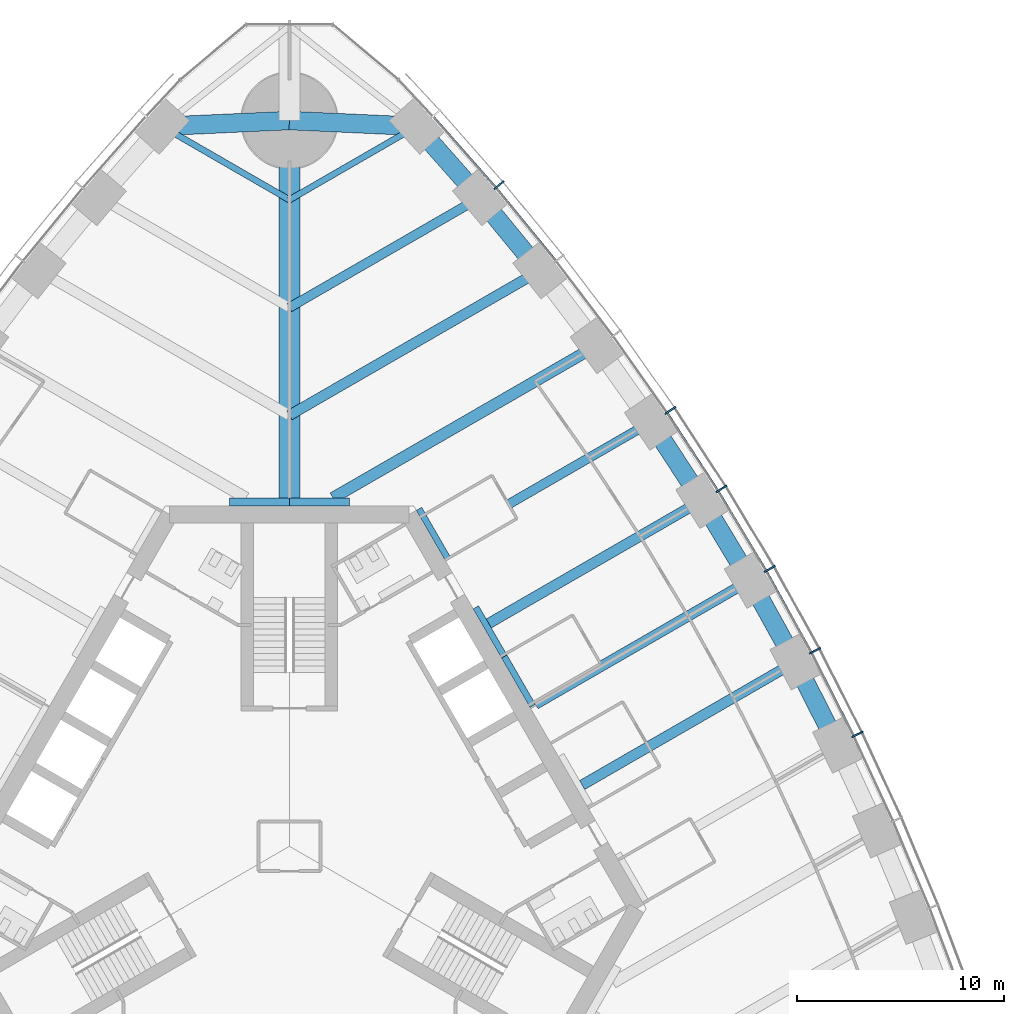
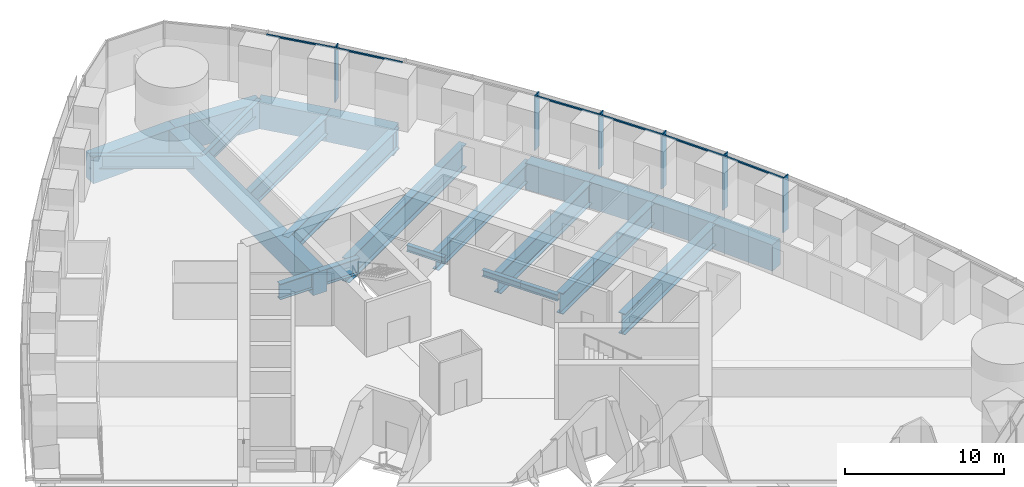
# One storey, part 5 of 19: 23 beams, 12 members, 1 element without a shape of its own.
"""IFC4 building model written with IfcOpenShell, lengths in metres."""

import ifcopenshell
import ifcopenshell.guid

model = None  # the IFC model being written
_history = None  # IfcOwnerHistory: only IFC2X3 demands one
_inside = {}  # id of a spatial element -> (the spatial element, [elements in it])
_under = {}  # id of a project, library or spatial element -> (it, [spatial elements below it])
_declared = {}  # id of a project -> (the project, [libraries it declares])
_typed = {}  # id of a type object -> (the type object, [elements of that type])
_made_of = {}  # id of a material, layer set ... -> (it, [elements and type objects made of it])


def new_model(schema):
    """Start an empty IFC model of exactly this schema.

    Asked for "IFC4X3", IfcOpenShell would pick the latest addendum, in which some entities
    have other attributes; the version numbers below select the first issue.
    IFC2X3 requires an IfcOwnerHistory on every rooted entity: one is made here for all.
    """
    global model, _history
    if schema == "IFC4X3":
        model = ifcopenshell.file(schema_version=(4, 3, 0, 0))
    else:
        model = ifcopenshell.file(schema=schema)
    _inside.clear()
    _under.clear()
    _declared.clear()
    _typed.clear()
    _made_of.clear()
    _history = None
    if model.schema == "IFC2X3":
        org = make("IfcOrganization", Name="unknown")
        user = make(
            "IfcPersonAndOrganization",
            ThePerson=make("IfcPerson", FamilyName="unknown"),
            TheOrganization=org,
        )
        app = make(
            "IfcApplication",
            ApplicationDeveloper=org,
            Version="unknown",
            ApplicationFullName="unknown",
            ApplicationIdentifier="unknown",
        )
        _history = make(
            "IfcOwnerHistory",
            OwningUser=user,
            OwningApplication=app,
            ChangeAction="ADDED",
            CreationDate=0,
        )
    return model


def make(cls, **values):
    """One entity of the class cls with the attributes given. An attribute that is None is left unset."""
    return model.create_entity(
        cls, **{name: value for name, value in values.items() if value is not None}
    )


def rooted(cls, **values):
    """An entity with a GlobalId (a new one), such as an element, a storey or a relation."""
    return make(cls, GlobalId=ifcopenshell.guid.new(), OwnerHistory=_history, **values)


def si_unit(unit_type, name, prefix=None):
    """IfcSIUnit, for example si_unit("LENGTHUNIT", "METRE", prefix="MILLI")."""
    return make("IfcSIUnit", UnitType=unit_type, Prefix=prefix, Name=name)


def assignment(units):
    """IfcUnitAssignment: the units of a project."""
    return None if units is None else make("IfcUnitAssignment", Units=units)


def point(xyz):
    """IfcCartesianPoint."""
    return None if xyz is None else make("IfcCartesianPoint", Coordinates=xyz)


def direction(xyz):
    """IfcDirection."""
    return None if xyz is None else make("IfcDirection", DirectionRatios=xyz)


def frame(location, z_axis=None, x_axis=None):
    """IfcAxis2Placement3D, a coordinate frame: its origin and axes. An axis left out is left unset."""
    return make(
        "IfcAxis2Placement3D",
        Location=point(location),
        Axis=direction(z_axis),
        RefDirection=direction(x_axis),
    )


def frame_2d(location, x_axis=None):
    """IfcAxis2Placement2D, a coordinate frame in the plane: its origin and x axis."""
    return make(
        "IfcAxis2Placement2D", Location=point(location), RefDirection=direction(x_axis)
    )


def origin():
    """The frame at (0, 0, 0) with its axes left unset."""
    return frame((0.0, 0.0, 0.0))


def origin_2d():
    """The frame at (0, 0) in the plane with its x axis left unset."""
    return frame_2d((0.0, 0.0))


def place(relative_to, where):
    """IfcLocalPlacement: puts the frame where relative to a parent placement (None: the world)."""
    return make(
        "IfcLocalPlacement", PlacementRelTo=relative_to, RelativePlacement=where
    )


def context(
    kind, dimensions, precision=None, world=None, true_north=None, identifier=None
):
    """IfcGeometricRepresentationContext, for example the 3D "Model" context."""
    return make(
        "IfcGeometricRepresentationContext",
        ContextIdentifier=identifier,
        ContextType=kind,
        CoordinateSpaceDimension=dimensions,
        Precision=precision,
        WorldCoordinateSystem=world,
        TrueNorth=true_north,
    )


def subcontext(parent, identifier, kind, view, scale=None):
    """IfcGeometricRepresentationSubContext, for example "Body" below "Model"."""
    return make(
        "IfcGeometricRepresentationSubContext",
        ContextIdentifier=identifier,
        ContextType=kind,
        ParentContext=parent,
        TargetScale=scale,
        TargetView=view,
    )


def project(units=None, contexts=None):
    """IfcProject with its units and contexts."""
    return rooted(
        "IfcProject",
        Name="project",
        RepresentationContexts=contexts,
        UnitsInContext=assignment(units),
    )


def spatial(cls, under=None, at=None, **own):
    """A site, building, storey or space (cls), placed at a placement, below another one or the project."""
    s = rooted(cls, ObjectPlacement=at, **own)
    if under is not None:
        _under.setdefault(under.id(), (under, []))[1].append(s)
    return s


def profile(cls, at=None, kind="AREA", **sizes):
    """A parametric profile (cls). Its sizes go by their IFC names, for example OverallWidth=200.0."""
    return make(cls, ProfileType=kind, Position=at, **sizes)


def rectangle(**sizes):
    """IfcRectangleProfileDef."""
    return profile("IfcRectangleProfileDef", **sizes)


def i_section(**sizes):
    """IfcIShapeProfileDef."""
    return profile("IfcIShapeProfileDef", **sizes)


def extrude(swept, where, along, depth):
    """IfcExtrudedAreaSolid: the profile swept, set in the frame where, extruded along a direction by depth."""
    return make(
        "IfcExtrudedAreaSolid",
        SweptArea=swept,
        Position=where,
        ExtrudedDirection=direction(along),
        Depth=depth,
    )


def shape(context_of_items, identifier, shape_type, items):
    """IfcShapeRepresentation: the items that make up one representation, for example the "Body"."""
    return make(
        "IfcShapeRepresentation",
        ContextOfItems=context_of_items,
        RepresentationIdentifier=identifier,
        RepresentationType=shape_type,
        Items=items,
    )


def material(Name=None, Category=None):
    """IfcMaterial."""
    return make("IfcMaterial", Name=Name, Category=Category)


def material_profile(
    of_material, cross_section, Name=None, Category=None, Priority=None
):
    """IfcMaterialProfile: a cross section and its material."""
    return make(
        "IfcMaterialProfile",
        Name=Name,
        Material=of_material,
        Profile=cross_section,
        Priority=Priority,
        Category=Category,
    )


def profile_set(profiles, Name=None, composite=None):
    """IfcMaterialProfileSet."""
    return make(
        "IfcMaterialProfileSet",
        Name=Name,
        MaterialProfiles=profiles,
        CompositeProfile=composite,
    )


def made_of(thing, what):
    """Note that an element or type object is made of a material, layer set ...; save() writes the relation."""
    if what is not None:
        _made_of.setdefault(what.id(), (what, []))[1].append(thing)
    return thing


def type_object(cls, material=None, **own):
    """A type object (cls), such as IfcWallType, which elements share."""
    return made_of(rooted(cls, **own), material)


def element(
    cls,
    number,
    at=None,
    inside=None,
    cuts=None,
    type_object=None,
    material=None,
    context=None,
    identifier="Body",
    shape_type=None,
    held_by="IfcProductDefinitionShape",
    body=None,
    shapes=None,
    **own,
):
    """One element of the class cls, such as IfcWall. Its Tag is "e" and its number.

    at: its placement. inside: the storey or other place that contains it. cuts: it is an
    opening in that element (IfcRelVoidsElement). A single representation is given by context,
    identifier, shape_type and body (its items); several are given by shapes. held_by: the class
    of the entity that holds the representations. save() writes the other relations.
    """
    e = rooted(cls, Tag="e%d" % number, ObjectPlacement=at, **own)
    if body is not None:
        shapes = [shape(context, identifier, shape_type, body)]
    if shapes is not None:
        e.Representation = make(held_by, Representations=shapes)
    if inside is not None:
        _inside.setdefault(inside.id(), (inside, []))[1].append(e)
    if cuts is not None:
        rooted(
            "IfcRelVoidsElement", RelatingBuildingElement=cuts, RelatedOpeningElement=e
        )
    if type_object is not None:
        _typed.setdefault(type_object.id(), (type_object, []))[1].append(e)
    return made_of(e, material)


def aggregate(whole, parts):
    """IfcRelAggregates: a whole, such as a stair, and the parts it consists of."""
    return rooted("IfcRelAggregates", RelatingObject=whole, RelatedObjects=parts)


def save(model, path):
    """Write the relations noted so far, then the file.

    IfcRelAggregates (storeys below a building ...), IfcRelContainedInSpatialStructure (elements
    in a storey), IfcRelDefinesByType, IfcRelAssociatesMaterial and IfcRelDeclares: one each for
    every whole, place, type object, material and project.
    """
    for whole, parts in _under.values():
        aggregate(whole, parts)
    for where, things in _inside.values():
        rooted(
            "IfcRelContainedInSpatialStructure",
            RelatedElements=things,
            RelatingStructure=where,
        )
    for kind, things in _typed.values():
        rooted("IfcRelDefinesByType", RelatedObjects=things, RelatingType=kind)
    for what, things in _made_of.values():
        rooted("IfcRelAssociatesMaterial", RelatedObjects=things, RelatingMaterial=what)
    for by, libraries in _declared.values():
        rooted("IfcRelDeclares", RelatingContext=by, RelatedDefinitions=libraries)
    model.write(path)


model = new_model("IFC4")

# Units and contexts
model_context = context("Model", 3, precision=1e-05, world=origin(), true_north=direction((0.0, 1.0)))
body_context = subcontext(model_context, "Body", "Model", "MODEL_VIEW")
ifc_project = project(units=[si_unit("LENGTHUNIT", "METRE"), si_unit("AREAUNIT", "SQUARE_METRE"), si_unit("VOLUMEUNIT", "CUBIC_METRE"), si_unit("PLANEANGLEUNIT", "RADIAN"), si_unit("MASSUNIT", "GRAM", prefix="KILO")], contexts=[model_context])

# Site, building, storey
site_placement = place(None, origin())
site = spatial("IfcSite", under=ifc_project, at=site_placement, CompositionType="ELEMENT")
building_placement = place(site_placement, origin())
building = spatial("IfcBuilding", under=site, at=building_placement, Name="Trefoil Bronze Tower", CompositionType="ELEMENT")
storey_placement = place(building_placement, frame((0.0, 0.0, 107.300048828125)))
storey = spatial("IfcBuildingStorey", under=building, at=storey_placement, Name="L24", CompositionType="ELEMENT", Elevation=107.300048828125)

# Curtain wall, members
ifc_material_1 = material(Name="Tinted solar-control glass", Category="glass")
curtain_wall_type = type_object("IfcCurtainWallType", Name="Bronze office curtain wall", PredefinedType="USERDEFINED", material=ifc_material_1)
curtain_wall_placement = place(storey_placement, origin())
curtain_wall = element("IfcCurtainWall", 1, at=curtain_wall_placement, inside=storey, type_object=curtain_wall_type, Name="CW-A L24 F2", ObjectType="CURTAIN WALL", PredefinedType="USERDEFINED")
ifc_material_2 = material(Name="Bronze-finish aluminium", Category="aluminium")
ifc_material_profile_1 = material_profile(ifc_material_2, rectangle(XDim=0.60009765625, YDim=0.080078125, at=origin_2d()), Name="CW-A mullion")
ifc_profile_set_1 = profile_set([ifc_material_profile_1], Name="Bronze-finish aluminium")
member_type_1 = type_object("IfcMemberType", Name="Bronze office curtain wall mullion", PredefinedType="MULLION", material=ifc_profile_set_1)
member_1_placement = place(storey_placement, frame((27.394775390625, 5.399169921875, 0.0), z_axis=(0.0, 0.0, 1.0), x_axis=(-0.899819602033, -0.436262173236, 0.0)))
member_1 = element("IfcMember", 2, at=member_1_placement, type_object=member_type_1, Name="CW-A L24 F2 mullion 6", PredefinedType="MULLION", context=body_context, shape_type="SweptSolid", body=[
    extrude(rectangle(XDim=0.60009765625, YDim=0.080078125, at=origin_2d()), origin(), (0.0, 0.0, 1.0), 4.179931640625),
])
member_2_placement = place(storey_placement, frame((25.350830078125, 9.427734375, 0.0), z_axis=(0.0, 0.0, 1.0), x_axis=(-0.883486441467, -0.468456729853, 0.0)))
member_2 = element("IfcMember", 3, at=member_2_placement, type_object=member_type_1, Name="CW-A L24 F2 mullion 7", PredefinedType="MULLION", context=body_context, shape_type="SweptSolid", body=[
    extrude(rectangle(XDim=0.60009765625, YDim=0.080078125, at=origin_2d()), origin(), (0.0, 0.0, 1.0), 4.179931640625),
])
member_3_placement = place(storey_placement, frame((23.166015625, 13.374755859375, 0.0), z_axis=(0.0, 0.0, 1.0), x_axis=(-0.866025403784, -0.5, 0.0)))
member_3 = element("IfcMember", 4, at=member_3_placement, type_object=member_type_1, Name="CW-A L24 F2 mullion 8", PredefinedType="MULLION", context=body_context, shape_type="SweptSolid", body=[
    extrude(rectangle(XDim=0.60009765625, YDim=0.080078125, at=origin_2d()), origin(), (0.0, 0.0, 1.0), 4.179931640625),
])
member_4_placement = place(storey_placement, frame((20.840087890625, 17.24072265625, 0.0), z_axis=(0.0, 0.0, 1.0), x_axis=(-0.84743864936, -0.530893337283, 0.0)))
member_4 = element("IfcMember", 5, at=member_4_placement, type_object=member_type_1, Name="CW-A L24 F2 mullion 9", PredefinedType="MULLION", context=body_context, shape_type="SweptSolid", body=[
    extrude(rectangle(XDim=0.60009765625, YDim=0.080078125, at=origin_2d()), origin(), (0.0, 0.0, 1.0), 4.179931640625),
])
member_5_placement = place(storey_placement, frame((18.373046875, 21.025146484375, 0.0), z_axis=(0.0, 0.0, 1.0), x_axis=(-0.827723925749, -0.561135547566, 0.0)))
member_5 = element("IfcMember", 6, at=member_5_placement, type_object=member_type_1, Name="CW-A L24 F2 mullion 10", PredefinedType="MULLION", context=body_context, shape_type="SweptSolid", body=[
    extrude(rectangle(XDim=0.60009765625, YDim=0.080078125, at=origin_2d()), origin(), (0.0, 0.0, 1.0), 4.179931640625),
])
member_6_placement = place(storey_placement, frame((10.11474609375, 31.8828125, 0.0), z_axis=(0.0, 0.0, 1.0), x_axis=(-0.761721651066, -0.647904411389, 0.0)))
member_6 = element("IfcMember", 7, at=member_6_placement, type_object=member_type_1, Name="CW-A L24 F2 mullion 13", PredefinedType="MULLION", context=body_context, shape_type="SweptSolid", body=[
    extrude(rectangle(XDim=0.60009765625, YDim=0.080078125, at=origin_2d()), origin(), (0.0, 0.0, 1.0), 4.179931640625),
])
ifc_material_3 = material(Name="Bronze-finish aluminium", Category="aluminium")
ifc_material_profile_2 = material_profile(ifc_material_3, rectangle(XDim=0.1201171875, YDim=0.10009765625, at=origin_2d()), Name="CW-A transom")
ifc_profile_set_2 = profile_set([ifc_material_profile_2], Name="Bronze-finish aluminium")
member_type_2 = type_object("IfcMemberType", Name="Bronze office curtain wall transom", PredefinedType="USERDEFINED", material=ifc_profile_set_2)
member_7_placement = place(storey_placement, frame((27.196044921875, 5.34912109375, 4.1298828125), z_axis=(-0.452478489814, 0.891775317138, 0.0), x_axis=(-0.891775317138, -0.452478489814, 0.0)))
member_7 = element("IfcMember", 8, at=member_7_placement, type_object=member_type_2, Name="CW-A L24 F2 transom 6", ObjectType="TRANSOM", PredefinedType="USERDEFINED", context=body_context, shape_type="SweptSolid", body=[
    extrude(rectangle(XDim=0.1201171875, YDim=0.10009765625, at=origin_2d()), origin(), (0.0, 0.0, 1.0), 4.426513671875),
])
member_8_placement = place(storey_placement, frame((25.154052734375, 9.37060546875, 4.1298828125), z_axis=(-0.484329470343, 0.874885686337, 0.0), x_axis=(-0.874885686337, -0.484329470343, 0.0)))
member_8 = element("IfcMember", 9, at=member_8_placement, type_object=member_type_2, Name="CW-A L24 F2 transom 7", ObjectType="TRANSOM", PredefinedType="USERDEFINED", context=body_context, shape_type="SweptSolid", body=[
    extrude(rectangle(XDim=0.1201171875, YDim=0.10009765625, at=origin_2d()), origin(), (0.0, 0.0, 1.0), 4.4208984375),
])
member_9_placement = place(storey_placement, frame((22.97119140625, 13.310546875, 4.1298828125), z_axis=(-0.515526794174, 0.856873458854, 0.0), x_axis=(-0.856873458854, -0.515526794174, 0.0)))
member_9 = element("IfcMember", 10, at=member_9_placement, type_object=member_type_2, Name="CW-A L24 F2 transom 8", ObjectType="TRANSOM", PredefinedType="USERDEFINED", context=body_context, shape_type="SweptSolid", body=[
    extrude(rectangle(XDim=0.1201171875, YDim=0.10009765625, at=origin_2d()), origin(), (0.0, 0.0, 1.0), 4.4208984375),
])
member_10_placement = place(storey_placement, frame((20.647705078125, 17.16943359375, 4.1298828125), z_axis=(-0.546079336226, 0.837733465099, 0.0), x_axis=(-0.837733465099, -0.546079336226, 0.0)))
member_10 = element("IfcMember", 11, at=member_10_placement, type_object=member_type_2, Name="CW-A L24 F2 transom 9", ObjectType="TRANSOM", PredefinedType="USERDEFINED", context=body_context, shape_type="SweptSolid", body=[
    extrude(rectangle(XDim=0.1201171875, YDim=0.10009765625, at=origin_2d()), origin(), (0.0, 0.0, 1.0), 4.426513671875),
])
member_11_placement = place(storey_placement, frame((12.82861328125, 28.255615234375, 4.1298828125), z_axis=(-0.633848872297, 0.773456919995, 0.0), x_axis=(-0.773456919995, -0.633848872297, 0.0)))
member_11 = element("IfcMember", 12, at=member_11_placement, type_object=member_type_2, Name="CW-A L24 F2 transom 12", ObjectType="TRANSOM", PredefinedType="USERDEFINED", context=body_context, shape_type="SweptSolid", body=[
    extrude(rectangle(XDim=0.1201171875, YDim=0.10009765625, at=origin_2d()), origin(), (0.0, 0.0, 1.0), 4.480224609375),
])
member_12_placement = place(storey_placement, frame((9.9345703125, 31.78466796875, 4.1298828125), z_axis=(-0.66173618877, 0.749736764786, 0.0), x_axis=(-0.749736764786, -0.66173618877, 0.0)))
member_12 = element("IfcMember", 13, at=member_12_placement, type_object=member_type_2, Name="CW-A L24 F2 transom 13", ObjectType="TRANSOM", PredefinedType="USERDEFINED", context=body_context, shape_type="SweptSolid", body=[
    extrude(rectangle(XDim=0.1201171875, YDim=0.10009765625, at=origin_2d()), origin(), (0.0, 0.0, 1.0), 4.510986328125),
])
aggregate(curtain_wall, [member_1, member_2, member_3, member_4, member_5, member_6, member_7, member_8, member_9, member_10, member_11, member_12])

# Beams
ifc_material_4 = material(Name="Steel C355", Category="steel")
ifc_material_profile_3 = material_profile(ifc_material_4, i_section(OverallWidth=0.300048828125, OverallDepth=0.5, WebThickness=0.014404296875, FlangeThickness=0.028076171875, FilletRadius=0.027099609375, at=origin_2d()), Name="HEB 500")
ifc_profile_set_3 = profile_set([ifc_material_profile_3], Name="Steel C355")
beam_type_1 = type_object("IfcBeamType", Name="Core seat beam HEB 500", PredefinedType="BEAM", material=ifc_profile_set_3)
for number, where, z_axis, x_axis, name in (
    (14, (11.734619140625, 6.77490234375, -0.449951171875), (-0.499969057507, 0.866043267704, 0.0), (-0.866043267704, -0.499969057507, 0.0), "Core seat beam F2/+0 L24"),
    (15, (10.363525390625, 9.14990234375, -0.449951171875), (-0.500035825175, 0.866004719122, 0.0), (-0.866004719122, -0.500035825175, 0.0), "Core seat beam F2/+1 L24"),
    (16, (7.62109375, 13.89990234375, -0.449951171875), (-0.500035825175, 0.866004719122, 0.0), (-0.866004719122, -0.500035825175, 0.0), "Core seat beam F2/+2 L24"),
):
    element("IfcBeam", number, at=place(storey_placement, frame(where, z_axis=z_axis, x_axis=x_axis)), inside=storey, type_object=beam_type_1, Name=name, PredefinedType="BEAM", context=body_context, shape_type="SweptSolid", body=[
        extrude(i_section(OverallWidth=0.300048828125, OverallDepth=0.5, WebThickness=0.014404296875, FlangeThickness=0.028076171875, FilletRadius=0.027099609375, at=origin_2d()), origin(), (0.0, 0.0, 1.0), 2.742431640625),
    ])
ifc_material_5 = material(Name="Steel C355", Category="steel")
ifc_material_profile_4 = material_profile(ifc_material_5, i_section(OverallWidth=0.39990234375, OverallDepth=1.199951171875, WebThickness=0.02001953125, FlangeThickness=0.0400390625, FilletRadius=0.010009765625, at=origin_2d()), Name="WPG 1200")
ifc_profile_set_4 = profile_set([ifc_material_profile_4], Name="Steel C355")
beam_type_2 = type_object("IfcBeamType", Name="Core seat beam WPG 1200", PredefinedType="BEAM", material=ifc_profile_set_4)
for number, where, z_axis, x_axis, name in (
    (17, (2.88671875, 16.60009765625, -0.800048828125), (-1.0, 0.0, 0.0), (0.0, -1.0, 0.0), "Core seat beam F2/+3 L24"),
    (18, (0.0, 16.60009765625, -0.800048828125), (-1.0, 0.0, 0.0), (0.0, -1.0, 0.0), "Core seat beam F3/-3 L24"),
):
    element("IfcBeam", number, at=place(storey_placement, frame(where, z_axis=z_axis, x_axis=x_axis)), inside=storey, type_object=beam_type_2, Name=name, PredefinedType="BEAM", context=body_context, shape_type="SweptSolid", body=[
        extrude(i_section(OverallWidth=0.39990234375, OverallDepth=1.199951171875, WebThickness=0.02001953125, FlangeThickness=0.0400390625, FilletRadius=0.010009765625, at=origin_2d()), origin(), (0.0, 0.0, 1.0), 2.88671875),
    ])
ifc_material_6 = material(Name="Concrete B80", Category="concrete")
ifc_material_profile_5 = material_profile(ifc_material_6, rectangle(XDim=1.0, YDim=1.699951171875, at=origin_2d()), Name="RC 1000x1700")
ifc_profile_set_5 = profile_set([ifc_material_profile_5], Name="Concrete B80")
beam_type_3 = type_object("IfcBeamType", Name="Corner girder RC 1000x1700", PredefinedType="BEAM", material=ifc_profile_set_5)
beam_1_placement = place(storey_placement, frame((0.0, 16.39990234375, -1.050048828125), z_axis=(0.0, 1.0, 0.0), x_axis=(-1.0, 0.0, 0.0)))
element("IfcBeam", 19, at=beam_1_placement, inside=storey, type_object=beam_type_3, Name="Corner girder K2 L24", PredefinedType="BEAM", context=body_context, shape_type="SweptSolid", body=[
    extrude(rectangle(XDim=1.0, YDim=1.699951171875, at=origin_2d()), origin(), (0.0, 0.0, 1.0), 18.60009765625),
])
ifc_material_7 = material(Name="Concrete B80", Category="concrete")
ifc_material_profile_6 = material_profile(ifc_material_7, rectangle(XDim=0.89990234375, YDim=2.0, at=origin_2d()), Name="RC 900x2000")
ifc_profile_set_6 = profile_set([ifc_material_profile_6], Name="Concrete B80")
beam_type_4 = type_object("IfcBeamType", Name="End spandrel beam RC 900x2000", PredefinedType="SPANDREL", material=ifc_profile_set_6)
for number, where, z_axis, x_axis, name in (
    (20, (6.13916015625, 34.72119140625, -1.199951171875), (-0.998970341464, 0.045368015985, 0.0), (-0.045368015985, -0.998970341464, 0.0), "Spandrel F2.14 L24"),
    (21, (0.0, 35.0, -1.199951171875), (-0.998970341464, -0.045368015985, 0.0), (0.045368015985, -0.998970341464, 0.0), "Spandrel F3.1 L24"),
):
    element("IfcBeam", number, at=place(storey_placement, frame(where, z_axis=z_axis, x_axis=x_axis)), inside=storey, type_object=beam_type_4, Name=name, PredefinedType="SPANDREL", context=body_context, shape_type="SweptSolid", body=[
        extrude(rectangle(XDim=0.89990234375, YDim=2.0, at=origin_2d()), origin(), (0.0, 0.0, 1.0), 6.1455078125),
    ])
ifc_material_8 = material(Name="Steel C355", Category="steel")
ifc_material_profile_7 = material_profile(ifc_material_8, i_section(OverallWidth=0.300048828125, OverallDepth=1.0, WebThickness=0.01904296875, FlangeThickness=0.035888671875, FilletRadius=0.030029296875, at=origin_2d()), Name="HEB 1000")
ifc_profile_set_7 = profile_set([ifc_material_profile_7], Name="Steel C355")
beam_type_5 = type_object("IfcBeamType", Name="Floor beam HEB 1000", PredefinedType="BEAM", material=ifc_profile_set_7)
for number, where, z_axis, x_axis, name in (
    (22, (6.13916015625, 34.72119140625, -0.699951171875), (-0.866041060244, -0.499972881236, 0.0), (0.499972881236, -0.866041060244, 0.0), "Floor beam F2/+6 L24"),
    (23, (-6.13916015625, 34.72119140625, -0.699951171875), (0.866041060244, -0.499972881236, 0.0), (0.499972881236, 0.866041060244, 0.0), "Floor beam F3/-6 L24"),
):
    element("IfcBeam", number, at=place(storey_placement, frame(where, z_axis=z_axis, x_axis=x_axis)), inside=storey, type_object=beam_type_5, Name=name, PredefinedType="BEAM", context=body_context, shape_type="SweptSolid", body=[
        extrude(i_section(OverallWidth=0.300048828125, OverallDepth=1.0, WebThickness=0.01904296875, FlangeThickness=0.035888671875, FilletRadius=0.030029296875, at=origin_2d()), origin(), (0.0, 0.0, 1.0), 7.0888671875),
    ])
ifc_material_9 = material(Name="Steel C355", Category="steel")
ifc_material_profile_8 = material_profile(ifc_material_9, i_section(OverallWidth=0.449951171875, OverallDepth=1.39990234375, WebThickness=0.02294921875, FlangeThickness=0.044921875, FilletRadius=0.011962890625, at=origin_2d()), Name="WPG 1400")
ifc_profile_set_8 = profile_set([ifc_material_profile_8], Name="Steel C355")
beam_type_6 = type_object("IfcBeamType", Name="Floor beam WPG 1400", PredefinedType="BEAM", material=ifc_profile_set_8)
beam_2_placement = place(storey_placement, frame((17.43017578125, 20.45556640625, -0.900146484375), z_axis=(-0.866030626868, -0.499990953245, 0.0), x_axis=(0.499990953245, -0.866030626868, 0.0)))
element("IfcBeam", 24, at=beam_2_placement, inside=storey, type_object=beam_type_6, Name="Floor beam F2/+2 L24", PredefinedType="BEAM", context=body_context, shape_type="SweptSolid", body=[
    extrude(i_section(OverallWidth=0.449951171875, OverallDepth=1.39990234375, WebThickness=0.02294921875, FlangeThickness=0.044921875, FilletRadius=0.011962890625, at=origin_2d()), origin(), (0.0, 0.0, 1.0), 11.622802734375),
])
beam_3_placement = place(storey_placement, frame((9.181884765625, 31.281982421875, -0.900146484375), z_axis=(-0.866021079084, -0.500007490527, 0.0), x_axis=(0.500007490527, -0.866021079084, 0.0)))
element("IfcBeam", 25, at=beam_3_placement, inside=storey, type_object=beam_type_6, Name="Floor beam F2/+5 L24", PredefinedType="BEAM", context=body_context, shape_type="SweptSolid", body=[
    extrude(i_section(OverallWidth=0.449951171875, OverallDepth=1.39990234375, WebThickness=0.02294921875, FlangeThickness=0.044921875, FilletRadius=0.011962890625, at=origin_2d()), origin(), (0.0, 0.0, 1.0), 10.602294921875),
])
ifc_material_10 = material(Name="Steel C355", Category="steel")
ifc_material_profile_9 = material_profile(ifc_material_10, i_section(OverallWidth=0.5, OverallDepth=1.60009765625, WebThickness=0.02587890625, FlangeThickness=0.050048828125, FilletRadius=0.011962890625, at=origin_2d()), Name="WPG 1600")
ifc_profile_set_9 = profile_set([ifc_material_profile_9], Name="Steel C355")
beam_type_7 = type_object("IfcBeamType", Name="Floor beam WPG 1600", PredefinedType="BEAM", material=ifc_profile_set_9)
beam_4_placement = place(storey_placement, frame((24.392578125, 8.886962890625, -1.0), z_axis=(-0.866024236736, -0.500002021381, 0.0), x_axis=(0.500002021381, -0.866024236736, 0.0)))
element("IfcBeam", 26, at=beam_4_placement, inside=storey, type_object=beam_type_7, Name="Floor beam F2/-1 L24", PredefinedType="BEAM", context=body_context, shape_type="SweptSolid", body=[
    extrude(i_section(OverallWidth=0.5, OverallDepth=1.60009765625, WebThickness=0.02587890625, FlangeThickness=0.050048828125, FilletRadius=0.011962890625, at=origin_2d()), origin(), (0.0, 0.0, 1.0), 11.8681640625),
])
beam_5_placement = place(storey_placement, frame((22.21337890625, 12.824951171875, -1.0), z_axis=(-0.866028062731, -0.499995394541, 0.0), x_axis=(0.499995394541, -0.866028062731, 0.0)))
element("IfcBeam", 27, at=beam_5_placement, inside=storey, type_object=beam_type_7, Name="Floor beam F2/+0 L24", PredefinedType="BEAM", context=body_context, shape_type="SweptSolid", body=[
    extrude(i_section(OverallWidth=0.5, OverallDepth=1.60009765625, WebThickness=0.02587890625, FlangeThickness=0.050048828125, FilletRadius=0.011962890625, at=origin_2d()), origin(), (0.0, 0.0, 1.0), 11.94970703125),
])
beam_6_placement = place(storey_placement, frame((19.892578125, 16.68115234375, -1.0), z_axis=(-0.866024236736, -0.500002021381, 0.0), x_axis=(0.500002021381, -0.866024236736, 0.0)))
element("IfcBeam", 28, at=beam_6_placement, inside=storey, type_object=beam_type_7, Name="Floor beam F2/+1 L24", PredefinedType="BEAM", context=body_context, shape_type="SweptSolid", body=[
    extrude(i_section(OverallWidth=0.5, OverallDepth=1.60009765625, WebThickness=0.02587890625, FlangeThickness=0.050048828125, FilletRadius=0.011962890625, at=origin_2d()), origin(), (0.0, 0.0, 1.0), 11.8681640625),
])
beam_7_placement = place(storey_placement, frame((12.07666015625, 27.757080078125, -1.0), z_axis=(-0.866026983775, -0.499997263366, 0.0), x_axis=(0.499997263366, -0.866026983775, 0.0)))
element("IfcBeam", 29, at=beam_7_placement, inside=storey, type_object=beam_type_7, Name="Floor beam F2/+4 L24", PredefinedType="BEAM", context=body_context, shape_type="SweptSolid", body=[
    extrude(i_section(OverallWidth=0.5, OverallDepth=1.60009765625, WebThickness=0.02587890625, FlangeThickness=0.050048828125, FilletRadius=0.011962890625, at=origin_2d()), origin(), (0.0, 0.0, 1.0), 13.94482421875),
])
ifc_material_11 = material(Name="Steel C355", Category="steel")
ifc_material_profile_10 = material_profile(ifc_material_11, i_section(OverallWidth=0.550048828125, OverallDepth=1.800048828125, WebThickness=0.029052734375, FlangeThickness=0.054931640625, FilletRadius=0.013916015625, at=origin_2d()), Name="WPG 1800")
ifc_profile_set_10 = profile_set([ifc_material_profile_10], Name="Steel C355")
beam_type_8 = type_object("IfcBeamType", Name="Floor beam WPG 1800", PredefinedType="BEAM", material=ifc_profile_set_10)
beam_8_placement = place(storey_placement, frame((14.825439453125, 24.14794921875, -1.10009765625), z_axis=(-0.866027342682, -0.499996641717, 0.0), x_axis=(0.499996641717, -0.866027342682, 0.0)))
element("IfcBeam", 30, at=beam_8_placement, inside=storey, type_object=beam_type_8, Name="Floor beam F2/+3 L24", PredefinedType="BEAM", context=body_context, shape_type="SweptSolid", body=[
    extrude(i_section(OverallWidth=0.550048828125, OverallDepth=1.800048828125, WebThickness=0.029052734375, FlangeThickness=0.054931640625, FilletRadius=0.013916015625, at=origin_2d()), origin(), (0.0, 0.0, 1.0), 14.69580078125),
])
ifc_material_12 = material(Name="Concrete B80", Category="concrete")
ifc_material_profile_11 = material_profile(ifc_material_12, rectangle(XDim=0.89990234375, YDim=2.0, at=origin_2d()), Name="RC 900x2000")
ifc_profile_set_11 = profile_set([ifc_material_profile_11], Name="Concrete B80")
beam_type_9 = type_object("IfcBeamType", Name="Spandrel beam RC 900x2000", PredefinedType="SPANDREL", material=ifc_profile_set_11)
beam_9_placement = place(storey_placement, frame((26.43017578125, 4.8671875, -1.199951171875), z_axis=(-0.452125717735, 0.891954222683, 0.0), x_axis=(-0.891954222683, -0.452125717735, 0.0)))
element("IfcBeam", 31, at=beam_9_placement, inside=storey, type_object=beam_type_9, Name="Spandrel F2.6 L24", PredefinedType="SPANDREL", context=body_context, shape_type="SweptSolid", body=[
    extrude(rectangle(XDim=0.89990234375, YDim=2.0, at=origin_2d()), origin(), (0.0, 0.0, 1.0), 4.506591796875),
])
for number, where, z_axis, x_axis, name in (
    (32, (24.392578125, 8.886962890625, -1.199951171875), (-0.484186866546, 0.874964615436, 0.0), (-0.874964615436, -0.484186866546, 0.0), "Spandrel F2.7 L24"),
    (33, (22.21337890625, 12.824951171875, -1.199951171875), (-0.515651979972, 0.856798129988, 0.0), (-0.856798129988, -0.515651979972, 0.0), "Spandrel F2.8 L24"),
):
    element("IfcBeam", number, at=place(storey_placement, frame(where, z_axis=z_axis, x_axis=x_axis)), inside=storey, type_object=beam_type_9, Name=name, PredefinedType="SPANDREL", context=body_context, shape_type="SweptSolid", body=[
        extrude(rectangle(XDim=0.89990234375, YDim=2.0, at=origin_2d()), origin(), (0.0, 0.0, 1.0), 4.500732421875),
    ])
beam_10_placement = place(storey_placement, frame((19.892578125, 16.68115234375, -1.199951171875), z_axis=(-0.546396670296, 0.83752652417, 0.0), x_axis=(-0.83752652417, -0.546396670296, 0.0)))
element("IfcBeam", 34, at=beam_10_placement, inside=storey, type_object=beam_type_9, Name="Spandrel F2.9 L24", PredefinedType="SPANDREL", context=body_context, shape_type="SweptSolid", body=[
    extrude(rectangle(XDim=0.89990234375, YDim=2.0, at=origin_2d()), origin(), (0.0, 0.0, 1.0), 4.506591796875),
])
beam_11_placement = place(storey_placement, frame((12.07666015625, 27.757080078125, -1.199951171875), z_axis=(-0.634650386838, 0.772799383079, 0.0), x_axis=(-0.772799383079, -0.634650386838, 0.0)))
element("IfcBeam", 35, at=beam_11_placement, inside=storey, type_object=beam_type_9, Name="Spandrel F2.12 L24", PredefinedType="SPANDREL", context=body_context, shape_type="SweptSolid", body=[
    extrude(rectangle(XDim=0.89990234375, YDim=2.0, at=origin_2d()), origin(), (0.0, 0.0, 1.0), 4.561279296875),
])
beam_12_placement = place(storey_placement, frame((9.181884765625, 31.281982421875, -1.199951171875), z_axis=(-0.662616326239, 0.748959013699, 0.0), x_axis=(-0.748959013699, -0.662616326239, 0.0)))
element("IfcBeam", 36, at=beam_12_placement, inside=storey, type_object=beam_type_9, Name="Spandrel F2.13 L24", PredefinedType="SPANDREL", context=body_context, shape_type="SweptSolid", body=[
    extrude(rectangle(XDim=0.89990234375, YDim=2.0, at=origin_2d()), origin(), (0.0, 0.0, 1.0), 4.592041015625),
])

save(model, "model.ifc")
